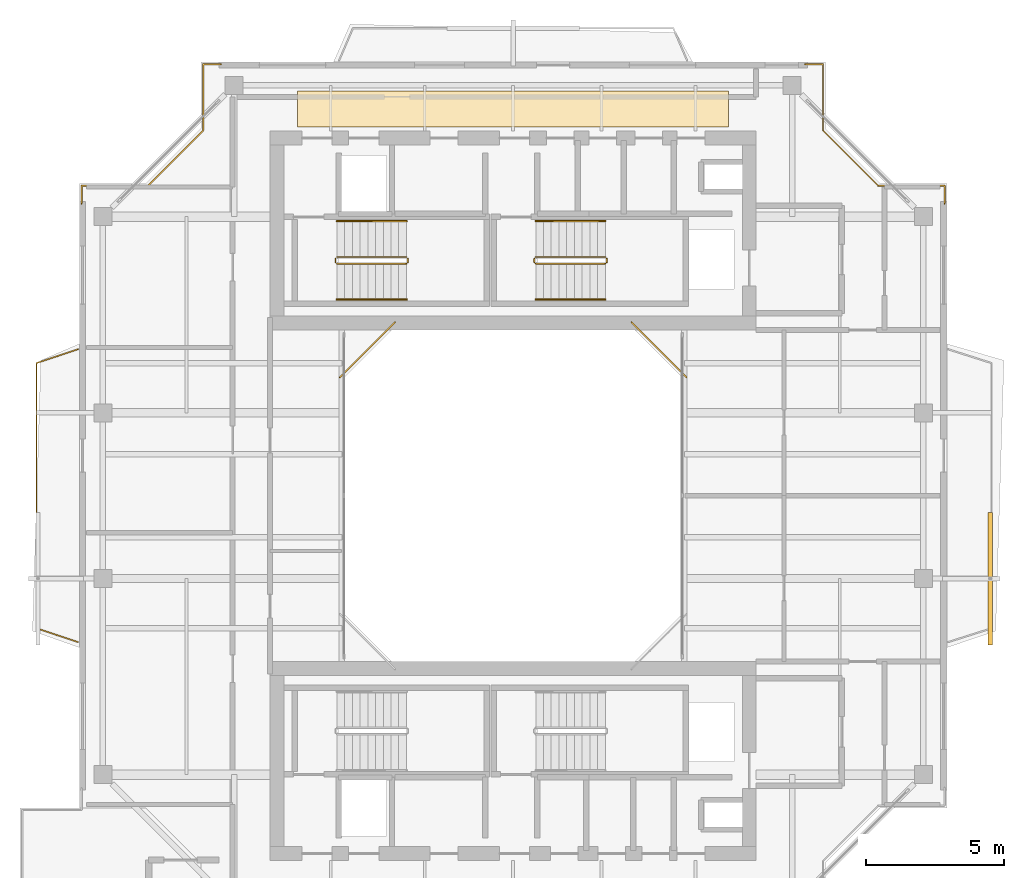
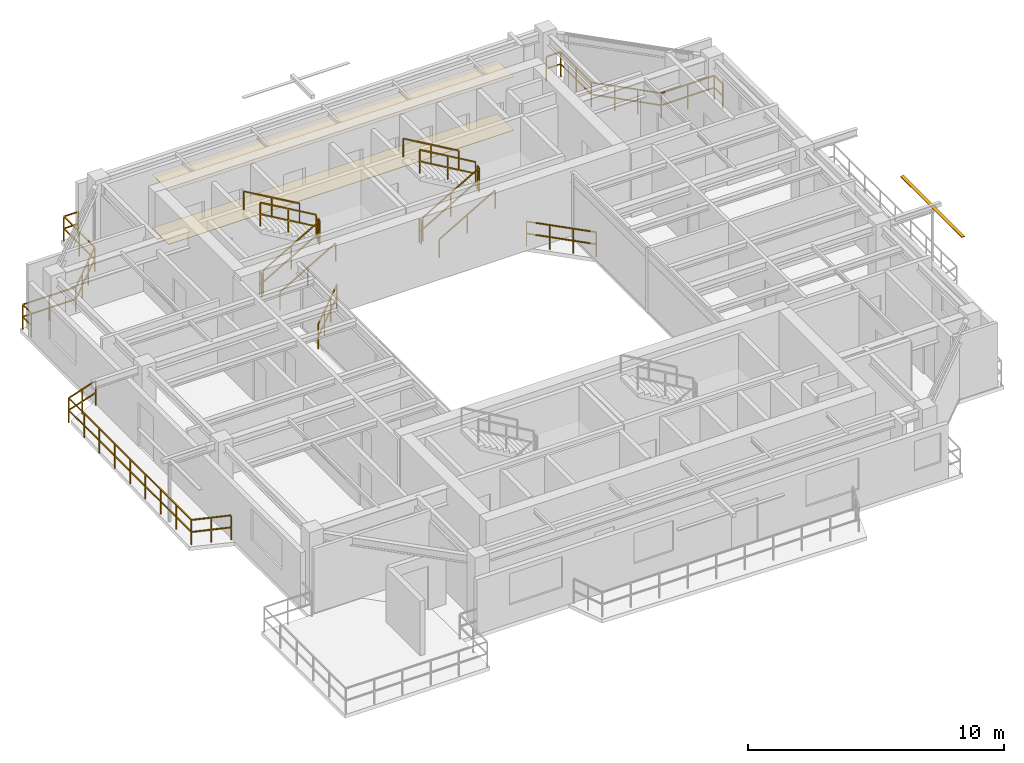
# One storey, part 13 of 14: 17 railings, 2 coverings, 1 shading device.
"""IFC4 building model written with IfcOpenShell, lengths in metres."""

from ifc_helpers import new_model, si_unit, direction, frame, origin, origin_2d, place, context, subcontext, project, spatial, polyline, rectangle, outline, extrude, source, transform, mapped, material, layer, layer_set, material_profile, profile_set, type_object, element, save


model = new_model("IFC4")

# Units and contexts
model_context = context("Model", 3, precision=1e-05, world=origin(), true_north=direction((0.0, 1.0)))
body_context = subcontext(model_context, "Body", "Model", "MODEL_VIEW")
ifc_project = project(units=[si_unit("LENGTHUNIT", "METRE"), si_unit("AREAUNIT", "SQUARE_METRE"), si_unit("VOLUMEUNIT", "CUBIC_METRE"), si_unit("PLANEANGLEUNIT", "RADIAN"), si_unit("MASSUNIT", "GRAM", prefix="KILO"), si_unit("THERMODYNAMICTEMPERATUREUNIT", "KELVIN"), si_unit("POWERUNIT", "WATT")], contexts=[model_context])

# Site, building, storey
site_placement = place(None, origin())
site = spatial("IfcSite", under=ifc_project, at=site_placement, CompositionType="ELEMENT")
building_placement = place(site_placement, origin())
building = spatial("IfcBuilding", under=site, at=building_placement, Name="Qiaomeng Ring Towers", CompositionType="ELEMENT")
storey_placement = place(building_placement, frame((0.0, 0.0, 243.75)))
storey = spatial("IfcBuildingStorey", under=building, at=storey_placement, Name="L71", CompositionType="ELEMENT", Elevation=243.75)

# Coverings
ifc_material_1 = material(Name="Moisture-resistant gypsum ceiling board", Category="gypsum")
ifc_layer_1 = layer(ifc_material_1, 0.030029296875, Name="Moisture-resistant gypsum ceiling board")
ifc_layer_set_1 = layer_set([ifc_layer_1], Name="Moisture-resistant gypsum ceiling board")
covering_type_1 = type_object("IfcCoveringType", Name="ARC-COV-CEIL2", PredefinedType="CEILING", material=ifc_layer_set_1)
covering_1_placement = place(storey_placement, frame((0.0, 0.0, 2.550048828125)))
element("IfcCovering", 1, at=covering_1_placement, inside=storey, type_object=covering_type_1, Name="L71 Corridor Acoustic Ceiling", PredefinedType="CEILING", context=body_context, shape_type="SweptSolid", body=[
    extrude(outline(polyline([(11.199951171875, 36.35009765625), (11.199951171875, 37.64990234375), (26.800048828125, 37.64990234375), (26.800048828125, 36.35009765625), (11.199951171875, 36.35009765625)])), origin(), (0.0, 0.0, 1.0), 0.02490234375),
])
ifc_material_2 = material(Name="Vitrified porcelain floor tile", Category="ceramic")
ifc_layer_2 = layer(ifc_material_2, 0.02001953125, Name="Vitrified porcelain floor tile")
ifc_layer_set_2 = layer_set([ifc_layer_2], Name="Vitrified porcelain floor tile")
covering_type_2 = type_object("IfcCoveringType", Name="ARC-COV-FLR1", PredefinedType="FLOORING", material=ifc_layer_set_2)
covering_2_placement = place(storey_placement, origin())
element("IfcCovering", 2, at=covering_2_placement, inside=storey, type_object=covering_type_2, Name="L71 Corridor Stone Flooring", PredefinedType="FLOORING", context=body_context, shape_type="SweptSolid", body=[
    extrude(outline(polyline([(11.199951171875, 36.35009765625), (11.199951171875, 37.64990234375), (26.800048828125, 37.64990234375), (26.800048828125, 36.35009765625), (11.199951171875, 36.35009765625)])), origin(), (0.0, 0.0, 1.0), 0.02001953125),
])

# Railings
ifc_material_3 = material(Name="Low-E pale-green laminated safety glass", Category="glass")
railing_type_1 = type_object("IfcRailingType", Name="ARC-RL-BAL1", PredefinedType="BALUSTRADE", material=ifc_material_3)
railing_1_placement = place(storey_placement, frame((25.280029296875, 27.280029296875, 0.0)))
element("IfcRailing", 3, at=railing_1_placement, inside=storey, type_object=railing_type_1, Name="L71 Balustrade ARC-BAL-WELL1-L71-2", PredefinedType="BALUSTRADE", context=body_context, shape_type="SweptSolid", body=[
    extrude(rectangle(XDim=0.048095703125, YDim=0.048095703125, at=origin_2d()), frame((0.0, 0.0, 1.17578125), z_axis=(-0.707106781187, 0.707106781187, 0.0), x_axis=(-0.707106781187, -0.707106781187, 0.0)), (0.0, 0.0, 1.0), 2.828369140625),
    extrude(rectangle(XDim=0.048095703125, YDim=0.048095703125, at=origin_2d()), frame((0.0, 0.0, 0.60009765625), z_axis=(-0.707106781187, 0.707106781187, 0.0), x_axis=(-0.707106781187, -0.707106781187, 0.0)), (0.0, 0.0, 1.0), 2.828369140625),
    extrude(rectangle(XDim=0.0419921875, YDim=0.0419921875, at=origin_2d()), origin(), (0.0, 0.0, 1.0), 1.15185546875),
    extrude(rectangle(XDim=0.0419921875, YDim=0.0419921875, at=origin_2d()), frame((-0.666748046875, 0.666748046875, 0.0)), (0.0, 0.0, 1.0), 1.15185546875),
    extrude(rectangle(XDim=0.0419921875, YDim=0.0419921875, at=origin_2d()), frame((-1.333251953125, 1.333251953125, 0.0)), (0.0, 0.0, 1.0), 1.15185546875),
    extrude(rectangle(XDim=0.0419921875, YDim=0.0419921875, at=origin_2d()), frame((-2.0, 2.0, 0.0)), (0.0, 0.0, 1.0), 1.15185546875),
])
railing_2_placement = place(storey_placement, frame((14.719970703125, 29.280029296875, 0.0)))
element("IfcRailing", 4, at=railing_2_placement, inside=storey, type_object=railing_type_1, Name="L71 Balustrade ARC-BAL-WELL1-L71-3", PredefinedType="BALUSTRADE", context=body_context, shape_type="SweptSolid", body=[
    extrude(rectangle(XDim=0.048095703125, YDim=0.048095703125, at=origin_2d()), frame((0.0, 0.0, 1.17578125), z_axis=(-0.707106781187, -0.707106781187, 0.0), x_axis=(0.707106781187, -0.707106781187, 0.0)), (0.0, 0.0, 1.0), 2.828369140625),
    extrude(rectangle(XDim=0.048095703125, YDim=0.048095703125, at=origin_2d()), frame((0.0, 0.0, 0.60009765625), z_axis=(-0.707106781187, -0.707106781187, 0.0), x_axis=(0.707106781187, -0.707106781187, 0.0)), (0.0, 0.0, 1.0), 2.828369140625),
    extrude(rectangle(XDim=0.0419921875, YDim=0.0419921875, at=origin_2d()), origin(), (0.0, 0.0, 1.0), 1.15185546875),
    extrude(rectangle(XDim=0.0419921875, YDim=0.0419921875, at=origin_2d()), frame((-0.666748046875, -0.666748046875, 0.0)), (0.0, 0.0, 1.0), 1.15185546875),
    extrude(rectangle(XDim=0.0419921875, YDim=0.0419921875, at=origin_2d()), frame((-1.333251953125, -1.333251953125, 0.0)), (0.0, 0.0, 1.0), 1.15185546875),
    extrude(rectangle(XDim=0.0419921875, YDim=0.0419921875, at=origin_2d()), frame((-2.0, -2.0, 0.0)), (0.0, 0.0, 1.0), 1.15185546875),
])
railing_3_placement = place(storey_placement, frame((34.6201171875, 33.570068359375, 0.0)))
element("IfcRailing", 5, at=railing_3_placement, inside=storey, type_object=railing_type_1, Name="L71 Balustrade ARC-BAL-NOTCH1-L71-NE", PredefinedType="BALUSTRADE", context=body_context, shape_type="SweptSolid", body=[
    extrude(rectangle(XDim=0.048095703125, YDim=0.048095703125, at=origin_2d()), frame((0.0, 0.0, 1.17578125), z_axis=(0.0, 1.0, 0.0), x_axis=(-1.0, 0.0, 0.0)), (0.0, 0.0, 1.0), 0.64990234375),
    extrude(rectangle(XDim=0.048095703125, YDim=0.048095703125, at=origin_2d()), frame((0.0, 0.0, 0.60009765625), z_axis=(0.0, 1.0, 0.0), x_axis=(-1.0, 0.0, 0.0)), (0.0, 0.0, 1.0), 0.64990234375),
    extrude(rectangle(XDim=0.048095703125, YDim=0.048095703125, at=origin_2d()), frame((0.0, 0.64990234375, 1.17578125), z_axis=(-1.0, 0.0, 0.0), x_axis=(0.0, -1.0, 0.0)), (0.0, 0.0, 1.0), 2.400146484375),
    extrude(rectangle(XDim=0.048095703125, YDim=0.048095703125, at=origin_2d()), frame((0.0, 0.64990234375, 0.60009765625), z_axis=(-1.0, 0.0, 0.0), x_axis=(0.0, -1.0, 0.0)), (0.0, 0.0, 1.0), 2.400146484375),
    extrude(rectangle(XDim=0.048095703125, YDim=0.048095703125, at=origin_2d()), frame((-2.400146484375, 0.64990234375, 1.17578125), z_axis=(-0.707106781187, 0.707106781187, 0.0), x_axis=(-0.707106781187, -0.707106781187, 0.0)), (0.0, 0.0, 1.0), 2.828369140625),
    extrude(rectangle(XDim=0.048095703125, YDim=0.048095703125, at=origin_2d()), frame((-2.400146484375, 0.64990234375, 0.60009765625), z_axis=(-0.707106781187, 0.707106781187, 0.0), x_axis=(-0.707106781187, -0.707106781187, 0.0)), (0.0, 0.0, 1.0), 2.828369140625),
    extrude(rectangle(XDim=0.048095703125, YDim=0.048095703125, at=origin_2d()), frame((-4.400146484375, 2.64990234375, 1.17578125), z_axis=(0.0, 1.0, 0.0), x_axis=(-1.0, 0.0, 0.0)), (0.0, 0.0, 1.0), 2.400146484375),
    extrude(rectangle(XDim=0.048095703125, YDim=0.048095703125, at=origin_2d()), frame((-4.400146484375, 2.64990234375, 0.60009765625), z_axis=(0.0, 1.0, 0.0), x_axis=(-1.0, 0.0, 0.0)), (0.0, 0.0, 1.0), 2.400146484375),
    extrude(rectangle(XDim=0.048095703125, YDim=0.048095703125, at=origin_2d()), frame((-4.400146484375, 5.050048828125, 1.17578125), z_axis=(-1.0, 0.0, 0.0), x_axis=(0.0, -1.0, 0.0)), (0.0, 0.0, 1.0), 0.64990234375),
    extrude(rectangle(XDim=0.048095703125, YDim=0.048095703125, at=origin_2d()), frame((-4.400146484375, 5.050048828125, 0.60009765625), z_axis=(-1.0, 0.0, 0.0), x_axis=(0.0, -1.0, 0.0)), (0.0, 0.0, 1.0), 0.64990234375),
    extrude(rectangle(XDim=0.0419921875, YDim=0.0419921875, at=origin_2d()), origin(), (0.0, 0.0, 1.0), 1.15185546875),
    extrude(rectangle(XDim=0.0419921875, YDim=0.0419921875, at=origin_2d()), frame((0.0, 0.64990234375, 0.0)), (0.0, 0.0, 1.0), 1.15185546875),
    extrude(rectangle(XDim=0.0419921875, YDim=0.0419921875, at=origin_2d()), frame((-1.2001953125, 0.64990234375, 0.0)), (0.0, 0.0, 1.0), 1.15185546875),
    extrude(rectangle(XDim=0.0419921875, YDim=0.0419921875, at=origin_2d()), frame((-2.400146484375, 0.64990234375, 0.0)), (0.0, 0.0, 1.0), 1.15185546875),
    extrude(rectangle(XDim=0.0419921875, YDim=0.0419921875, at=origin_2d()), frame((-3.06689453125, 1.316650390625, 0.0)), (0.0, 0.0, 1.0), 1.15185546875),
    extrude(rectangle(XDim=0.0419921875, YDim=0.0419921875, at=origin_2d()), frame((-3.7333984375, 1.983154296875, 0.0)), (0.0, 0.0, 1.0), 1.15185546875),
    extrude(rectangle(XDim=0.0419921875, YDim=0.0419921875, at=origin_2d()), frame((-4.400146484375, 2.64990234375, 0.0)), (0.0, 0.0, 1.0), 1.15185546875),
    extrude(rectangle(XDim=0.0419921875, YDim=0.0419921875, at=origin_2d()), frame((-4.400146484375, 3.85009765625, 0.0)), (0.0, 0.0, 1.0), 1.15185546875),
    extrude(rectangle(XDim=0.0419921875, YDim=0.0419921875, at=origin_2d()), frame((-4.400146484375, 5.050048828125, 0.0)), (0.0, 0.0, 1.0), 1.15185546875),
    extrude(rectangle(XDim=0.0419921875, YDim=0.0419921875, at=origin_2d()), frame((-5.050048828125, 5.050048828125, 0.0)), (0.0, 0.0, 1.0), 1.15185546875),
])
railing_4_placement = place(storey_placement, frame((8.429931640625, 38.6201171875, 0.0)))
element("IfcRailing", 6, at=railing_4_placement, inside=storey, type_object=railing_type_1, Name="L71 Balustrade ARC-BAL-NOTCH1-L71-NW", PredefinedType="BALUSTRADE", context=body_context, shape_type="SweptSolid", body=[
    extrude(rectangle(XDim=0.048095703125, YDim=0.048095703125, at=origin_2d()), frame((0.0, 0.0, 1.17578125), z_axis=(-1.0, 0.0, 0.0), x_axis=(0.0, -1.0, 0.0)), (0.0, 0.0, 1.0), 0.64990234375),
    extrude(rectangle(XDim=0.048095703125, YDim=0.048095703125, at=origin_2d()), frame((0.0, 0.0, 0.60009765625), z_axis=(-1.0, 0.0, 0.0), x_axis=(0.0, -1.0, 0.0)), (0.0, 0.0, 1.0), 0.64990234375),
    extrude(rectangle(XDim=0.048095703125, YDim=0.048095703125, at=origin_2d()), frame((-0.64990234375, 0.0, 1.17578125), z_axis=(0.0, -1.0, 0.0), x_axis=(1.0, 0.0, 0.0)), (0.0, 0.0, 1.0), 2.400146484375),
    extrude(rectangle(XDim=0.048095703125, YDim=0.048095703125, at=origin_2d()), frame((-0.64990234375, 0.0, 0.60009765625), z_axis=(0.0, -1.0, 0.0), x_axis=(1.0, 0.0, 0.0)), (0.0, 0.0, 1.0), 2.400146484375),
    extrude(rectangle(XDim=0.048095703125, YDim=0.048095703125, at=origin_2d()), frame((-0.64990234375, -2.400146484375, 1.17578125), z_axis=(-0.707106781187, -0.707106781187, 0.0), x_axis=(0.707106781187, -0.707106781187, 0.0)), (0.0, 0.0, 1.0), 2.828369140625),
    extrude(rectangle(XDim=0.048095703125, YDim=0.048095703125, at=origin_2d()), frame((-0.64990234375, -2.400146484375, 0.60009765625), z_axis=(-0.707106781187, -0.707106781187, 0.0), x_axis=(0.707106781187, -0.707106781187, 0.0)), (0.0, 0.0, 1.0), 2.828369140625),
    extrude(rectangle(XDim=0.048095703125, YDim=0.048095703125, at=origin_2d()), frame((-2.64990234375, -4.400146484375, 1.17578125), z_axis=(-1.0, 0.0, 0.0), x_axis=(0.0, -1.0, 0.0)), (0.0, 0.0, 1.0), 2.400146484375),
    extrude(rectangle(XDim=0.048095703125, YDim=0.048095703125, at=origin_2d()), frame((-2.64990234375, -4.400146484375, 0.60009765625), z_axis=(-1.0, 0.0, 0.0), x_axis=(0.0, -1.0, 0.0)), (0.0, 0.0, 1.0), 2.400146484375),
    extrude(rectangle(XDim=0.048095703125, YDim=0.048095703125, at=origin_2d()), frame((-5.050048828125, -4.400146484375, 1.17578125), z_axis=(0.0, -1.0, 0.0), x_axis=(1.0, 0.0, 0.0)), (0.0, 0.0, 1.0), 0.64990234375),
    extrude(rectangle(XDim=0.048095703125, YDim=0.048095703125, at=origin_2d()), frame((-5.050048828125, -4.400146484375, 0.60009765625), z_axis=(0.0, -1.0, 0.0), x_axis=(1.0, 0.0, 0.0)), (0.0, 0.0, 1.0), 0.64990234375),
    extrude(rectangle(XDim=0.0419921875, YDim=0.0419921875, at=origin_2d()), origin(), (0.0, 0.0, 1.0), 1.15185546875),
    extrude(rectangle(XDim=0.0419921875, YDim=0.0419921875, at=origin_2d()), frame((-0.64990234375, 0.0, 0.0)), (0.0, 0.0, 1.0), 1.15185546875),
    extrude(rectangle(XDim=0.0419921875, YDim=0.0419921875, at=origin_2d()), frame((-0.64990234375, -1.2001953125, 0.0)), (0.0, 0.0, 1.0), 1.15185546875),
    extrude(rectangle(XDim=0.0419921875, YDim=0.0419921875, at=origin_2d()), frame((-0.64990234375, -2.400146484375, 0.0)), (0.0, 0.0, 1.0), 1.15185546875),
    extrude(rectangle(XDim=0.0419921875, YDim=0.0419921875, at=origin_2d()), frame((-1.316650390625, -3.06689453125, 0.0)), (0.0, 0.0, 1.0), 1.15185546875),
    extrude(rectangle(XDim=0.0419921875, YDim=0.0419921875, at=origin_2d()), frame((-1.983154296875, -3.7333984375, 0.0)), (0.0, 0.0, 1.0), 1.15185546875),
    extrude(rectangle(XDim=0.0419921875, YDim=0.0419921875, at=origin_2d()), frame((-2.64990234375, -4.400146484375, 0.0)), (0.0, 0.0, 1.0), 1.15185546875),
    extrude(rectangle(XDim=0.0419921875, YDim=0.0419921875, at=origin_2d()), frame((-3.85009765625, -4.400146484375, 0.0)), (0.0, 0.0, 1.0), 1.15185546875),
    extrude(rectangle(XDim=0.0419921875, YDim=0.0419921875, at=origin_2d()), frame((-5.050048828125, -4.400146484375, 0.0)), (0.0, 0.0, 1.0), 1.15185546875),
    extrude(rectangle(XDim=0.0419921875, YDim=0.0419921875, at=origin_2d()), frame((-5.050048828125, -5.050048828125, 0.0)), (0.0, 0.0, 1.0), 1.15185546875),
])
railing_5_placement = place(storey_placement, frame((3.25, 17.699951171875, 0.0)))
element("IfcRailing", 7, at=railing_5_placement, inside=storey, type_object=railing_type_1, Name="L71 Balustrade ARC-BAL-L71-T1-W", PredefinedType="BALUSTRADE", context=body_context, shape_type="SweptSolid", body=[
    extrude(rectangle(XDim=0.048095703125, YDim=0.048095703125, at=origin_2d()), frame((0.0, 0.0, 1.17578125), z_axis=(-0.948683298051, 0.316227766017, 0.0), x_axis=(-0.316227766017, -0.948683298051, 0.0)), (0.0, 0.0, 1.0), 1.5810546875),
    extrude(rectangle(XDim=0.048095703125, YDim=0.048095703125, at=origin_2d()), frame((0.0, 0.0, 0.60009765625), z_axis=(-0.948683298051, 0.316227766017, 0.0), x_axis=(-0.316227766017, -0.948683298051, 0.0)), (0.0, 0.0, 1.0), 1.5810546875),
    extrude(rectangle(XDim=0.048095703125, YDim=0.048095703125, at=origin_2d()), frame((-1.5, 0.5, 1.17578125), z_axis=(0.0, 1.0, 0.0), x_axis=(-1.0, 0.0, 0.0)), (0.0, 0.0, 1.0), 9.60009765625),
    extrude(rectangle(XDim=0.048095703125, YDim=0.048095703125, at=origin_2d()), frame((-1.5, 0.5, 0.60009765625), z_axis=(0.0, 1.0, 0.0), x_axis=(-1.0, 0.0, 0.0)), (0.0, 0.0, 1.0), 9.60009765625),
    extrude(rectangle(XDim=0.048095703125, YDim=0.048095703125, at=origin_2d()), frame((-1.5, 10.10009765625, 1.17578125), z_axis=(0.948683298051, 0.316227766017, 0.0), x_axis=(-0.316227766017, 0.948683298051, 0.0)), (0.0, 0.0, 1.0), 1.5810546875),
    extrude(rectangle(XDim=0.048095703125, YDim=0.048095703125, at=origin_2d()), frame((-1.5, 10.10009765625, 0.60009765625), z_axis=(0.948683298051, 0.316227766017, 0.0), x_axis=(-0.316227766017, 0.948683298051, 0.0)), (0.0, 0.0, 1.0), 1.5810546875),
    extrude(rectangle(XDim=0.0419921875, YDim=0.0419921875, at=origin_2d()), origin(), (0.0, 0.0, 1.0), 1.15185546875),
    extrude(rectangle(XDim=0.0419921875, YDim=0.0419921875, at=origin_2d()), frame((-0.75, 0.25, 0.0)), (0.0, 0.0, 1.0), 1.15185546875),
    extrude(rectangle(XDim=0.0419921875, YDim=0.0419921875, at=origin_2d()), frame((-1.5, 0.5, 0.0)), (0.0, 0.0, 1.0), 1.15185546875),
    extrude(rectangle(XDim=0.0419921875, YDim=0.0419921875, at=origin_2d()), frame((-1.5, 1.699951171875, 0.0)), (0.0, 0.0, 1.0), 1.15185546875),
    extrude(rectangle(XDim=0.0419921875, YDim=0.0419921875, at=origin_2d()), frame((-1.5, 2.89990234375, 0.0)), (0.0, 0.0, 1.0), 1.15185546875),
    extrude(rectangle(XDim=0.0419921875, YDim=0.0419921875, at=origin_2d()), frame((-1.5, 4.10009765625, 0.0)), (0.0, 0.0, 1.0), 1.15185546875),
    extrude(rectangle(XDim=0.0419921875, YDim=0.0419921875, at=origin_2d()), frame((-1.5, 5.300048828125, 0.0)), (0.0, 0.0, 1.0), 1.15185546875),
    extrude(rectangle(XDim=0.0419921875, YDim=0.0419921875, at=origin_2d()), frame((-1.5, 6.5, 0.0)), (0.0, 0.0, 1.0), 1.15185546875),
    extrude(rectangle(XDim=0.0419921875, YDim=0.0419921875, at=origin_2d()), frame((-1.5, 7.7001953125, 0.0)), (0.0, 0.0, 1.0), 1.15185546875),
    extrude(rectangle(XDim=0.0419921875, YDim=0.0419921875, at=origin_2d()), frame((-1.5, 8.900146484375, 0.0)), (0.0, 0.0, 1.0), 1.15185546875),
    extrude(rectangle(XDim=0.0419921875, YDim=0.0419921875, at=origin_2d()), frame((-1.5, 10.10009765625, 0.0)), (0.0, 0.0, 1.0), 1.15185546875),
    extrude(rectangle(XDim=0.0419921875, YDim=0.0419921875, at=origin_2d()), frame((-0.75, 10.35009765625, 0.0)), (0.0, 0.0, 1.0), 1.15185546875),
    extrude(rectangle(XDim=0.0419921875, YDim=0.0419921875, at=origin_2d()), frame((0.0, 10.60009765625, 0.0)), (0.0, 0.0, 1.0), 1.15185546875),
])
ifc_material_4 = material(Name="Galvanised steel", Category="steel")
railing_type_2 = type_object("IfcRailingType", Name="ARC-RL-GUARD", PredefinedType="GUARDRAIL", material=ifc_material_4)
railing_6_placement = place(storey_placement, frame((12.6201171875, 31.39990234375, 0.16259765625)))
element("IfcRailing", 8, at=railing_6_placement, inside=storey, type_object=railing_type_2, Name="L71 ST1 stair guard 1", PredefinedType="GUARDRAIL", context=body_context, shape_type="SweptSolid", body=[
    extrude(rectangle(XDim=0.048095703125, YDim=0.048095703125, at=origin_2d()), frame((0.0, 0.0, 1.1259765625), z_axis=(0.864892226395, 0.0, 0.501957604506), x_axis=(0.0, 1.0, 0.0)), (0.0, 0.0, 1.0), 2.913330078125),
    extrude(rectangle(XDim=0.048095703125, YDim=0.048095703125, at=origin_2d()), frame((0.0, 0.0, 0.574951171875), z_axis=(0.864892226395, 0.0, 0.501957604506), x_axis=(0.0, 1.0, 0.0)), (0.0, 0.0, 1.0), 2.913330078125),
    extrude(rectangle(XDim=0.0419921875, YDim=0.0419921875, at=origin_2d()), origin(), (0.0, 0.0, 1.0), 1.101806640625),
    extrude(rectangle(XDim=0.0419921875, YDim=0.0419921875, at=origin_2d()), frame((1.259765625, 0.0, 0.731201171875)), (0.0, 0.0, 1.0), 1.101806640625),
    extrude(rectangle(XDim=0.0419921875, YDim=0.0419921875, at=origin_2d()), frame((2.519775390625, 0.0, 1.46240234375)), (0.0, 0.0, 1.0), 1.101806640625),
])
railing_7_placement = place(storey_placement, frame((15.18994140625, 31.449951171875, 1.625)))
element("IfcRailing", 9, at=railing_7_placement, inside=storey, type_object=railing_type_2, Name="L71 ST1 stair guard 2", PredefinedType="GUARDRAIL", context=body_context, shape_type="SweptSolid", body=[
    extrude(rectangle(XDim=0.048095703125, YDim=0.048095703125, at=origin_2d()), frame((0.0, 0.0, 1.1259765625), z_axis=(0.0, 1.0, 0.0), x_axis=(-1.0, 0.0, 0.0)), (0.0, 0.0, 1.0), 0.14013671875),
    extrude(rectangle(XDim=0.048095703125, YDim=0.048095703125, at=origin_2d()), frame((0.0, 0.0, 0.574951171875), z_axis=(0.0, 1.0, 0.0), x_axis=(-1.0, 0.0, 0.0)), (0.0, 0.0, 1.0), 0.14013671875),
    extrude(rectangle(XDim=0.0419921875, YDim=0.0419921875, at=origin_2d()), origin(), (0.0, 0.0, 1.0), 1.101806640625),
    extrude(rectangle(XDim=0.0419921875, YDim=0.0419921875, at=origin_2d()), frame((0.0, 0.14013671875, 0.0)), (0.0, 0.0, 1.0), 1.101806640625),
])
railing_8_placement = place(storey_placement, frame((15.139892578125, 31.639892578125, 1.78759765625)))
element("IfcRailing", 10, at=railing_8_placement, inside=storey, type_object=railing_type_2, Name="L71 ST1 stair guard 3", PredefinedType="GUARDRAIL", context=body_context, shape_type="SweptSolid", body=[
    extrude(rectangle(XDim=0.048095703125, YDim=0.048095703125, at=origin_2d()), frame((0.0, 0.0, 1.1259765625), z_axis=(-0.864892226395, 0.0, 0.501957604506), x_axis=(0.0, -1.0, 0.0)), (0.0, 0.0, 1.0), 2.913330078125),
    extrude(rectangle(XDim=0.048095703125, YDim=0.048095703125, at=origin_2d()), frame((0.0, 0.0, 0.574951171875), z_axis=(-0.864892226395, 0.0, 0.501957604506), x_axis=(0.0, -1.0, 0.0)), (0.0, 0.0, 1.0), 2.913330078125),
    extrude(rectangle(XDim=0.0419921875, YDim=0.0419921875, at=origin_2d()), origin(), (0.0, 0.0, 1.0), 1.101806640625),
    extrude(rectangle(XDim=0.0419921875, YDim=0.0419921875, at=origin_2d()), frame((-1.259765625, 0.0, 0.731201171875)), (0.0, 0.0, 1.0), 1.101806640625),
    extrude(rectangle(XDim=0.0419921875, YDim=0.0419921875, at=origin_2d()), frame((-2.519775390625, 0.0, 1.46240234375)), (0.0, 0.0, 1.0), 1.101806640625),
])
railing_9_placement = place(storey_placement, frame((12.570068359375, 31.449951171875, 0.0)))
element("IfcRailing", 11, at=railing_9_placement, inside=storey, type_object=railing_type_2, Name="L71 ST1 stair guard 4", PredefinedType="GUARDRAIL", context=body_context, shape_type="SweptSolid", body=[
    extrude(rectangle(XDim=0.048095703125, YDim=0.048095703125, at=origin_2d()), frame((0.0, 0.0, 1.1259765625), z_axis=(0.0, 1.0, 0.0), x_axis=(-1.0, 0.0, 0.0)), (0.0, 0.0, 1.0), 0.14013671875),
    extrude(rectangle(XDim=0.048095703125, YDim=0.048095703125, at=origin_2d()), frame((0.0, 0.0, 0.574951171875), z_axis=(0.0, 1.0, 0.0), x_axis=(-1.0, 0.0, 0.0)), (0.0, 0.0, 1.0), 0.14013671875),
    extrude(rectangle(XDim=0.0419921875, YDim=0.0419921875, at=origin_2d()), origin(), (0.0, 0.0, 1.0), 1.101806640625),
    extrude(rectangle(XDim=0.0419921875, YDim=0.0419921875, at=origin_2d()), frame((0.0, 0.14013671875, 0.0)), (0.0, 0.0, 1.0), 1.101806640625),
])
railing_10_placement = place(storey_placement, frame((19.820068359375, 31.39990234375, 0.16259765625)))
element("IfcRailing", 12, at=railing_10_placement, inside=storey, type_object=railing_type_2, Name="L71 ST2 stair guard 1", PredefinedType="GUARDRAIL", context=body_context, shape_type="SweptSolid", body=[
    extrude(rectangle(XDim=0.048095703125, YDim=0.048095703125, at=origin_2d()), frame((0.0, 0.0, 1.1259765625), z_axis=(0.864913338283, 0.0, 0.50192122615), x_axis=(0.0, 1.0, 0.0)), (0.0, 0.0, 1.0), 2.91357421875),
    extrude(rectangle(XDim=0.048095703125, YDim=0.048095703125, at=origin_2d()), frame((0.0, 0.0, 0.574951171875), z_axis=(0.864913338283, 0.0, 0.50192122615), x_axis=(0.0, 1.0, 0.0)), (0.0, 0.0, 1.0), 2.91357421875),
    extrude(rectangle(XDim=0.0419921875, YDim=0.0419921875, at=origin_2d()), origin(), (0.0, 0.0, 1.0), 1.101806640625),
    extrude(rectangle(XDim=0.0419921875, YDim=0.0419921875, at=origin_2d()), frame((1.260009765625, 0.0, 0.731201171875)), (0.0, 0.0, 1.0), 1.101806640625),
    extrude(rectangle(XDim=0.0419921875, YDim=0.0419921875, at=origin_2d()), frame((2.52001953125, 0.0, 1.46240234375)), (0.0, 0.0, 1.0), 1.101806640625),
])
railing_11_placement = place(storey_placement, frame((22.389892578125, 31.449951171875, 1.625)))
element("IfcRailing", 13, at=railing_11_placement, inside=storey, type_object=railing_type_2, Name="L71 ST2 stair guard 2", PredefinedType="GUARDRAIL", context=body_context, shape_type="SweptSolid", body=[
    extrude(rectangle(XDim=0.048095703125, YDim=0.048095703125, at=origin_2d()), frame((0.0, 0.0, 1.1259765625), z_axis=(0.0, 1.0, 0.0), x_axis=(-1.0, 0.0, 0.0)), (0.0, 0.0, 1.0), 0.14013671875),
    extrude(rectangle(XDim=0.048095703125, YDim=0.048095703125, at=origin_2d()), frame((0.0, 0.0, 0.574951171875), z_axis=(0.0, 1.0, 0.0), x_axis=(-1.0, 0.0, 0.0)), (0.0, 0.0, 1.0), 0.14013671875),
    extrude(rectangle(XDim=0.0419921875, YDim=0.0419921875, at=origin_2d()), origin(), (0.0, 0.0, 1.0), 1.101806640625),
    extrude(rectangle(XDim=0.0419921875, YDim=0.0419921875, at=origin_2d()), frame((0.0, 0.14013671875, 0.0)), (0.0, 0.0, 1.0), 1.101806640625),
])
railing_12_placement = place(storey_placement, frame((22.340087890625, 31.639892578125, 1.78759765625)))
element("IfcRailing", 14, at=railing_12_placement, inside=storey, type_object=railing_type_2, Name="L71 ST2 stair guard 3", PredefinedType="GUARDRAIL", context=body_context, shape_type="SweptSolid", body=[
    extrude(rectangle(XDim=0.048095703125, YDim=0.048095703125, at=origin_2d()), frame((0.0, 0.0, 1.1259765625), z_axis=(-0.864913338283, 0.0, 0.50192122615), x_axis=(0.0, -1.0, 0.0)), (0.0, 0.0, 1.0), 2.91357421875),
    extrude(rectangle(XDim=0.048095703125, YDim=0.048095703125, at=origin_2d()), frame((0.0, 0.0, 0.574951171875), z_axis=(-0.864913338283, 0.0, 0.50192122615), x_axis=(0.0, -1.0, 0.0)), (0.0, 0.0, 1.0), 2.91357421875),
    extrude(rectangle(XDim=0.0419921875, YDim=0.0419921875, at=origin_2d()), origin(), (0.0, 0.0, 1.0), 1.101806640625),
    extrude(rectangle(XDim=0.0419921875, YDim=0.0419921875, at=origin_2d()), frame((-1.260009765625, 0.0, 0.731201171875)), (0.0, 0.0, 1.0), 1.101806640625),
    extrude(rectangle(XDim=0.0419921875, YDim=0.0419921875, at=origin_2d()), frame((-2.52001953125, 0.0, 1.46240234375)), (0.0, 0.0, 1.0), 1.101806640625),
])
railing_13_placement = place(storey_placement, frame((19.77001953125, 31.449951171875, 0.0)))
element("IfcRailing", 15, at=railing_13_placement, inside=storey, type_object=railing_type_2, Name="L71 ST2 stair guard 4", PredefinedType="GUARDRAIL", context=body_context, shape_type="SweptSolid", body=[
    extrude(rectangle(XDim=0.048095703125, YDim=0.048095703125, at=origin_2d()), frame((0.0, 0.0, 1.1259765625), z_axis=(0.0, 1.0, 0.0), x_axis=(-1.0, 0.0, 0.0)), (0.0, 0.0, 1.0), 0.14013671875),
    extrude(rectangle(XDim=0.048095703125, YDim=0.048095703125, at=origin_2d()), frame((0.0, 0.0, 0.574951171875), z_axis=(0.0, 1.0, 0.0), x_axis=(-1.0, 0.0, 0.0)), (0.0, 0.0, 1.0), 0.14013671875),
    extrude(rectangle(XDim=0.0419921875, YDim=0.0419921875, at=origin_2d()), origin(), (0.0, 0.0, 1.0), 1.101806640625),
    extrude(rectangle(XDim=0.0419921875, YDim=0.0419921875, at=origin_2d()), frame((0.0, 0.14013671875, 0.0)), (0.0, 0.0, 1.0), 1.101806640625),
])
ifc_material_5 = material(Name="Stainless steel 316", Category="steel")
railing_type_3 = type_object("IfcRailingType", Name="ARC-RL-HAND", PredefinedType="HANDRAIL", material=ifc_material_5)
railing_14_placement = place(storey_placement, frame((12.6201171875, 30.10009765625, 0.16259765625)))
element("IfcRailing", 16, at=railing_14_placement, inside=storey, type_object=railing_type_3, Name="L71 ST1 stair handrail 1", PredefinedType="HANDRAIL", context=body_context, shape_type="SweptSolid", body=[
    extrude(rectangle(XDim=0.048095703125, YDim=0.048095703125, at=origin_2d()), frame((0.0, 0.0, 0.8759765625), z_axis=(0.864892226395, 0.0, 0.501957604506), x_axis=(0.0, 1.0, 0.0)), (0.0, 0.0, 1.0), 2.913330078125),
    extrude(rectangle(XDim=0.0419921875, YDim=0.0419921875, at=origin_2d()), origin(), (0.0, 0.0, 1.0), 0.851806640625),
    extrude(rectangle(XDim=0.0419921875, YDim=0.0419921875, at=origin_2d()), frame((1.259765625, 0.0, 0.731201171875)), (0.0, 0.0, 1.0), 0.851806640625),
    extrude(rectangle(XDim=0.0419921875, YDim=0.0419921875, at=origin_2d()), frame((2.519775390625, 0.0, 1.46240234375)), (0.0, 0.0, 1.0), 0.851806640625),
])
railing_15_placement = place(storey_placement, frame((15.139892578125, 32.93994140625, 1.78759765625)))
element("IfcRailing", 17, at=railing_15_placement, inside=storey, type_object=railing_type_3, Name="L71 ST1 stair handrail 2", PredefinedType="HANDRAIL", context=body_context, shape_type="SweptSolid", body=[
    extrude(rectangle(XDim=0.048095703125, YDim=0.048095703125, at=origin_2d()), frame((0.0, 0.0, 0.8759765625), z_axis=(-0.864892226395, 0.0, 0.501957604506), x_axis=(0.0, -1.0, 0.0)), (0.0, 0.0, 1.0), 2.913330078125),
    extrude(rectangle(XDim=0.0419921875, YDim=0.0419921875, at=origin_2d()), origin(), (0.0, 0.0, 1.0), 0.851806640625),
    extrude(rectangle(XDim=0.0419921875, YDim=0.0419921875, at=origin_2d()), frame((-1.259765625, 0.0, 0.731201171875)), (0.0, 0.0, 1.0), 0.851806640625),
    extrude(rectangle(XDim=0.0419921875, YDim=0.0419921875, at=origin_2d()), frame((-2.519775390625, 0.0, 1.46240234375)), (0.0, 0.0, 1.0), 0.851806640625),
])
railing_16_placement = place(storey_placement, frame((19.820068359375, 30.10009765625, 0.16259765625)))
element("IfcRailing", 18, at=railing_16_placement, inside=storey, type_object=railing_type_3, Name="L71 ST2 stair handrail 1", PredefinedType="HANDRAIL", context=body_context, shape_type="SweptSolid", body=[
    extrude(rectangle(XDim=0.048095703125, YDim=0.048095703125, at=origin_2d()), frame((0.0, 0.0, 0.8759765625), z_axis=(0.864913338283, 0.0, 0.50192122615), x_axis=(0.0, 1.0, 0.0)), (0.0, 0.0, 1.0), 2.91357421875),
    extrude(rectangle(XDim=0.0419921875, YDim=0.0419921875, at=origin_2d()), origin(), (0.0, 0.0, 1.0), 0.851806640625),
    extrude(rectangle(XDim=0.0419921875, YDim=0.0419921875, at=origin_2d()), frame((1.260009765625, 0.0, 0.731201171875)), (0.0, 0.0, 1.0), 0.851806640625),
    extrude(rectangle(XDim=0.0419921875, YDim=0.0419921875, at=origin_2d()), frame((2.52001953125, 0.0, 1.46240234375)), (0.0, 0.0, 1.0), 0.851806640625),
])
railing_17_placement = place(storey_placement, frame((22.340087890625, 32.93994140625, 1.78759765625)))
element("IfcRailing", 19, at=railing_17_placement, inside=storey, type_object=railing_type_3, Name="L71 ST2 stair handrail 2", PredefinedType="HANDRAIL", context=body_context, shape_type="SweptSolid", body=[
    extrude(rectangle(XDim=0.048095703125, YDim=0.048095703125, at=origin_2d()), frame((0.0, 0.0, 0.8759765625), z_axis=(-0.864913338283, 0.0, 0.50192122615), x_axis=(0.0, -1.0, 0.0)), (0.0, 0.0, 1.0), 2.91357421875),
    extrude(rectangle(XDim=0.0419921875, YDim=0.0419921875, at=origin_2d()), origin(), (0.0, 0.0, 1.0), 0.851806640625),
    extrude(rectangle(XDim=0.0419921875, YDim=0.0419921875, at=origin_2d()), frame((-1.260009765625, 0.0, 0.731201171875)), (0.0, 0.0, 1.0), 0.851806640625),
    extrude(rectangle(XDim=0.0419921875, YDim=0.0419921875, at=origin_2d()), frame((-2.52001953125, 0.0, 1.46240234375)), (0.0, 0.0, 1.0), 0.851806640625),
])

# Shading device
ifc_material_6 = material(Name="Fluorocarbon dark-grey aluminium", Category="aluminium")
ifc_material_profile = material_profile(ifc_material_6, rectangle(XDim=0.14990234375, YDim=0.034912109375, at=origin_2d()), Name="LV BLADE 150x35")
ifc_profile_set = profile_set([ifc_material_profile], Name="Fluorocarbon dark-grey aluminium")
shading_device_type = type_object("IfcShadingDeviceType", Name="ARC-SHD-SUN", PredefinedType="AWNING", material=ifc_profile_set)
shared_shape = source(origin(), body_context, "Body", "SweptSolid", [
    extrude(rectangle(XDim=0.14990234375, YDim=0.034912109375, at=origin_2d()), origin(), (0.0, 0.0, 1.0), 4.7998046875),
])
shading_device_placement = place(storey_placement, frame((36.27001953125, 17.60009765625, 2.969970703125), z_axis=(0.0, 1.0, 0.0), x_axis=(-1.0, 0.0, 0.0)))
element("IfcShadingDevice", 20, at=shading_device_placement, inside=storey, type_object=shading_device_type, Name="L71 Ventilated Outer-Skin Sunshade E", PredefinedType="AWNING", context=body_context, shape_type="MappedRepresentation", body=[
    mapped(shared_shape, transform((0.0, 0.0, 0.0), x_axis=(1.0, 0.0, 0.0), y_axis=(0.0, 1.0, 0.0), z_axis=(0.0, 0.0, 1.0), scale=1.0)),
])

save(model, "model.ifc")
